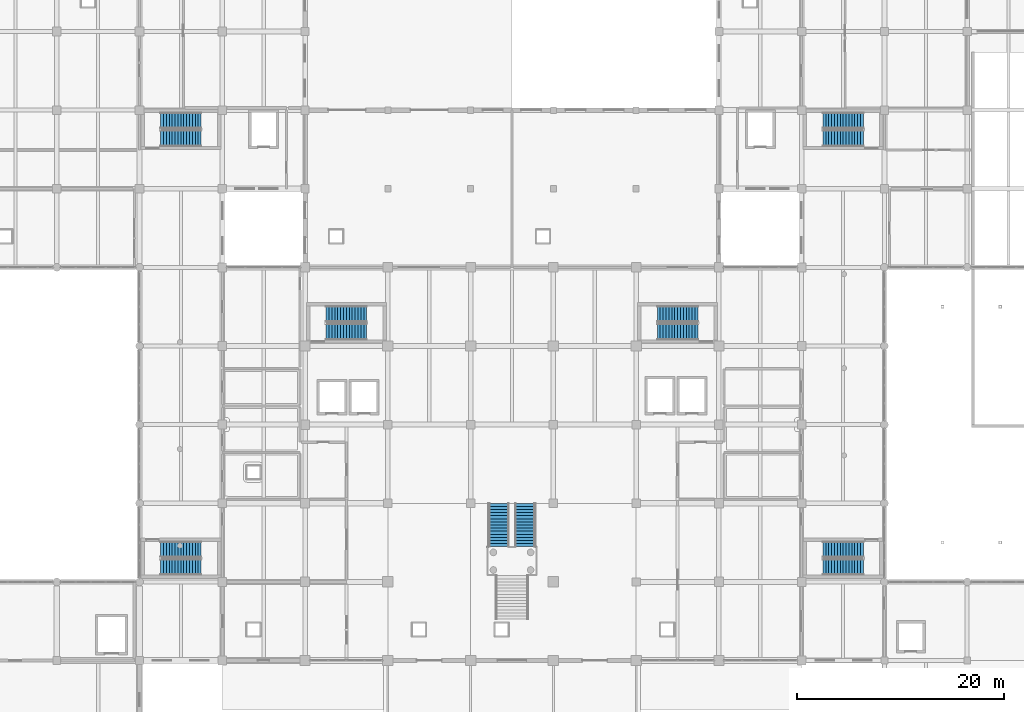
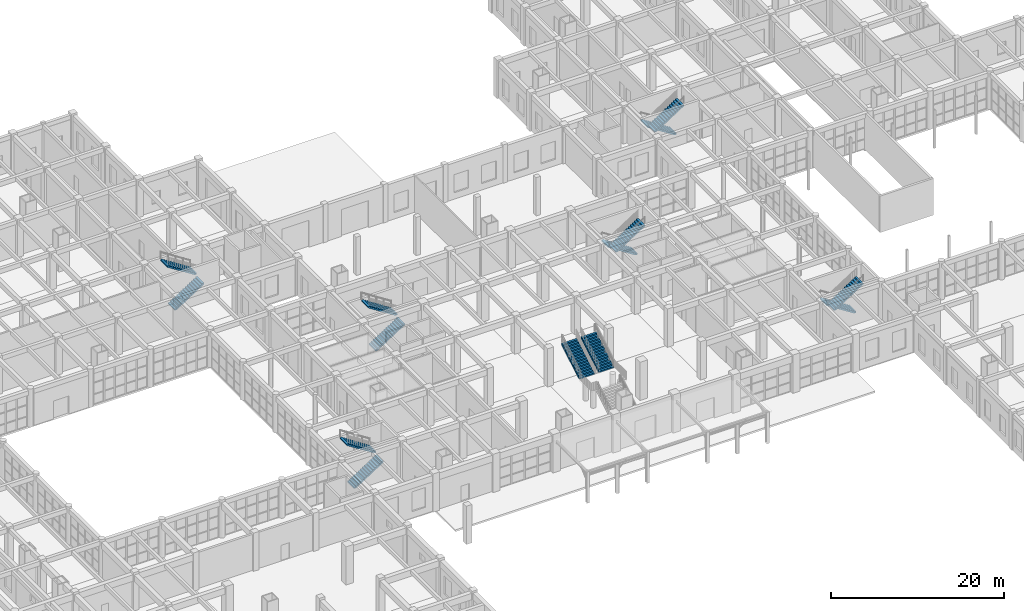
# One storey, part 85 of 95: 14 stair flights, 7 elements without a shape of their own.
"""IFC4 building model written with IfcOpenShell, lengths in metres."""

from ifc_helpers import new_model, si_unit, direction, frame, origin, place, context, subcontext, project, spatial, polyline, outline, extrude, material, type_object, element, aggregate, save


model = new_model("IFC4")

# Units and contexts
model_context = context("Model", 3, precision=1e-05, world=origin(), true_north=direction((0.0, 1.0)))
body_context = subcontext(model_context, "Body", "Model", "MODEL_VIEW")
ifc_project = project(units=[si_unit("LENGTHUNIT", "METRE"), si_unit("AREAUNIT", "SQUARE_METRE"), si_unit("VOLUMEUNIT", "CUBIC_METRE"), si_unit("PLANEANGLEUNIT", "RADIAN"), si_unit("MASSUNIT", "GRAM", prefix="KILO")], contexts=[model_context])

# Site, building, storey
site_placement = place(None, origin())
site = spatial("IfcSite", under=ifc_project, at=site_placement, CompositionType="ELEMENT")
building_placement = place(site_placement, origin())
building = spatial("IfcBuilding", under=site, at=building_placement, Name="Zantavel Square City Hall", CompositionType="ELEMENT")
storey_placement = place(building_placement, origin())
storey = spatial("IfcBuildingStorey", under=building, at=storey_placement, Name="L01", CompositionType="ELEMENT", Elevation=0.0)

# Stair, stair flights
ifc_material_1 = material(Name="Concrete C35/45", Category="concrete")
stair_type_1 = type_object("IfcStairType", Name="Enclosed Core Dogleg Stair L01 H5400", PredefinedType="HALF_TURN_STAIR", material=ifc_material_1)
stair_1_placement = place(storey_placement, origin())
stair_1 = element("IfcStair", 1, at=stair_1_placement, inside=storey, type_object=stair_type_1, Name="L01 Exit Stair 1 North-West Core", PredefinedType="HALF_TURN_STAIR")
stair_flight_type_1 = type_object("IfcStairFlightType", Name="Enclosed Core Stair Flight L01 W1560", PredefinedType="STRAIGHT", material=ifc_material_1)
stair_flight_1_placement = place(storey_placement, frame((50.030029296875, 80.8798828125, 0.0), z_axis=(0.0, 0.0, 1.0), x_axis=(1.0, 0.0, 0.0)))
stair_flight_1 = element("IfcStairFlight", 2, at=stair_flight_1_placement, type_object=stair_flight_type_1, Name="ST1 flight 1", NumberOfRisers=15, NumberOfTreads=14, PredefinedType="STRAIGHT", RiserHeight=0.18, TreadLength=0.28, context=body_context, shape_type="SweptSolid", body=[
    extrude(outline(polyline([(0.0, 0.0), (0.0, 0.179931640625), (0.280029296875, 0.179931640625), (0.280029296875, 0.360107421875), (0.56005859375, 0.360107421875), (0.56005859375, 0.5400390625), (0.840087890625, 0.5400390625), (0.840087890625, 0.719970703125), (1.1201171875, 0.719970703125), (1.1201171875, 0.89990234375), (1.39990234375, 0.89990234375), (1.39990234375, 1.080078125), (1.679931640625, 1.080078125), (1.679931640625, 1.260009765625), (1.9599609375, 1.260009765625), (1.9599609375, 1.43994140625), (2.239990234375, 1.43994140625), (2.239990234375, 1.6201171875), (2.52001953125, 1.6201171875), (2.52001953125, 1.800048828125), (2.800048828125, 1.800048828125), (2.800048828125, 1.97998046875), (3.080078125, 1.97998046875), (3.080078125, 2.159912109375), (3.360107421875, 2.159912109375), (3.360107421875, 2.340087890625), (3.639892578125, 2.340087890625), (3.639892578125, 2.52001953125), (3.919921875, 2.52001953125), (3.919921875, 2.699951171875), (3.919921875, 2.341796875), (0.277099609375, 0.0), (0.0, 0.0)])), frame((0.0, 0.780029296875, 0.0), z_axis=(0.0, -1.0, 0.0), x_axis=(1.0, 0.0, 0.0)), (0.0, 0.0, 1.0), 1.56005859375),
])
stair_flight_2_placement = place(storey_placement, frame((53.949951171875, 82.590087890625, 2.699951171875), z_axis=(0.0, 0.0, 1.0), x_axis=(-1.0, 0.0, 0.0)))
stair_flight_2 = element("IfcStairFlight", 3, at=stair_flight_2_placement, type_object=stair_flight_type_1, Name="ST1 flight 2", NumberOfRisers=15, NumberOfTreads=14, PredefinedType="STRAIGHT", RiserHeight=0.18, TreadLength=0.28, context=body_context, shape_type="SweptSolid", body=[
    extrude(outline(polyline([(0.0, 0.0), (0.0, 0.179931640625), (0.280029296875, 0.179931640625), (0.280029296875, 0.360107421875), (0.56005859375, 0.360107421875), (0.56005859375, 0.5400390625), (0.840087890625, 0.5400390625), (0.840087890625, 0.719970703125), (1.1201171875, 0.719970703125), (1.1201171875, 0.89990234375), (1.39990234375, 0.89990234375), (1.39990234375, 1.080078125), (1.679931640625, 1.080078125), (1.679931640625, 1.260009765625), (1.9599609375, 1.260009765625), (1.9599609375, 1.43994140625), (2.239990234375, 1.43994140625), (2.239990234375, 1.6201171875), (2.52001953125, 1.6201171875), (2.52001953125, 1.800048828125), (2.800048828125, 1.800048828125), (2.800048828125, 1.97998046875), (3.080078125, 1.97998046875), (3.080078125, 2.159912109375), (3.360107421875, 2.159912109375), (3.360107421875, 2.340087890625), (3.639892578125, 2.340087890625), (3.639892578125, 2.52001953125), (3.919921875, 2.52001953125), (3.919921875, 2.699951171875), (3.919921875, 2.341796875), (0.277099609375, 0.0), (0.0, 0.0)])), frame((0.0, 0.780029296875, 0.0), z_axis=(0.0, -1.0, 0.0), x_axis=(1.0, 0.0, 0.0)), (0.0, 0.0, 1.0), 1.56005859375),
])
aggregate(stair_1, [stair_flight_1, stair_flight_2])

stair_2_placement = place(storey_placement, origin())
stair_2 = element("IfcStair", 4, at=stair_2_placement, inside=storey, type_object=stair_type_1, Name="L01 Exit Stair 2 North-East Core", PredefinedType="HALF_TURN_STAIR")
stair_flight_3_placement = place(storey_placement, frame((117.969970703125, 82.590087890625, 0.0), z_axis=(0.0, 0.0, 1.0), x_axis=(-1.0, 0.0, 0.0)))
stair_flight_3 = element("IfcStairFlight", 5, at=stair_flight_3_placement, type_object=stair_flight_type_1, Name="ST2 flight 1", NumberOfRisers=15, NumberOfTreads=14, PredefinedType="STRAIGHT", RiserHeight=0.18, TreadLength=0.28, context=body_context, shape_type="SweptSolid", body=[
    extrude(outline(polyline([(0.0, 0.0), (0.0, 0.179931640625), (0.280029296875, 0.179931640625), (0.280029296875, 0.360107421875), (0.56005859375, 0.360107421875), (0.56005859375, 0.5400390625), (0.840087890625, 0.5400390625), (0.840087890625, 0.719970703125), (1.1201171875, 0.719970703125), (1.1201171875, 0.89990234375), (1.39990234375, 0.89990234375), (1.39990234375, 1.080078125), (1.679931640625, 1.080078125), (1.679931640625, 1.260009765625), (1.9599609375, 1.260009765625), (1.9599609375, 1.43994140625), (2.239990234375, 1.43994140625), (2.239990234375, 1.6201171875), (2.52001953125, 1.6201171875), (2.52001953125, 1.800048828125), (2.800048828125, 1.800048828125), (2.800048828125, 1.97998046875), (3.080078125, 1.97998046875), (3.080078125, 2.159912109375), (3.360107421875, 2.159912109375), (3.360107421875, 2.340087890625), (3.639892578125, 2.340087890625), (3.639892578125, 2.52001953125), (3.919921875, 2.52001953125), (3.919921875, 2.699951171875), (3.919921875, 2.341796875), (0.277099609375, 0.0), (0.0, 0.0)])), frame((0.0, 0.780029296875, 0.0), z_axis=(0.0, -1.0, 0.0), x_axis=(1.0, 0.0, 0.0)), (0.0, 0.0, 1.0), 1.56005859375),
])
stair_flight_4_placement = place(storey_placement, frame((114.050048828125, 80.8798828125, 2.699951171875), z_axis=(0.0, 0.0, 1.0), x_axis=(1.0, 0.0, 0.0)))
stair_flight_4 = element("IfcStairFlight", 6, at=stair_flight_4_placement, type_object=stair_flight_type_1, Name="ST2 flight 2", NumberOfRisers=15, NumberOfTreads=14, PredefinedType="STRAIGHT", RiserHeight=0.18, TreadLength=0.28, context=body_context, shape_type="SweptSolid", body=[
    extrude(outline(polyline([(0.0, 0.0), (0.0, 0.179931640625), (0.280029296875, 0.179931640625), (0.280029296875, 0.360107421875), (0.56005859375, 0.360107421875), (0.56005859375, 0.5400390625), (0.840087890625, 0.5400390625), (0.840087890625, 0.719970703125), (1.1201171875, 0.719970703125), (1.1201171875, 0.89990234375), (1.39990234375, 0.89990234375), (1.39990234375, 1.080078125), (1.679931640625, 1.080078125), (1.679931640625, 1.260009765625), (1.9599609375, 1.260009765625), (1.9599609375, 1.43994140625), (2.239990234375, 1.43994140625), (2.239990234375, 1.6201171875), (2.52001953125, 1.6201171875), (2.52001953125, 1.800048828125), (2.800048828125, 1.800048828125), (2.800048828125, 1.97998046875), (3.080078125, 1.97998046875), (3.080078125, 2.159912109375), (3.360107421875, 2.159912109375), (3.360107421875, 2.340087890625), (3.639892578125, 2.340087890625), (3.639892578125, 2.52001953125), (3.919921875, 2.52001953125), (3.919921875, 2.699951171875), (3.919921875, 2.341796875), (0.277099609375, 0.0), (0.0, 0.0)])), frame((0.0, 0.780029296875, 0.0), z_axis=(0.0, -1.0, 0.0), x_axis=(1.0, 0.0, 0.0)), (0.0, 0.0, 1.0), 1.56005859375),
])
aggregate(stair_2, [stair_flight_3, stair_flight_4])

stair_3_placement = place(storey_placement, origin())
stair_3 = element("IfcStair", 7, at=stair_3_placement, inside=storey, type_object=stair_type_1, Name="L01 Exit Stair 3 West Pavilion Core", PredefinedType="HALF_TURN_STAIR")
stair_flight_5_placement = place(storey_placement, frame((50.030029296875, 39.429931640625, 0.0), z_axis=(0.0, 0.0, 1.0), x_axis=(1.0, 0.0, 0.0)))
stair_flight_5 = element("IfcStairFlight", 8, at=stair_flight_5_placement, type_object=stair_flight_type_1, Name="ST3 flight 1", NumberOfRisers=15, NumberOfTreads=14, PredefinedType="STRAIGHT", RiserHeight=0.18, TreadLength=0.28, context=body_context, shape_type="SweptSolid", body=[
    extrude(outline(polyline([(0.0, 0.0), (0.0, 0.179931640625), (0.280029296875, 0.179931640625), (0.280029296875, 0.360107421875), (0.56005859375, 0.360107421875), (0.56005859375, 0.5400390625), (0.840087890625, 0.5400390625), (0.840087890625, 0.719970703125), (1.1201171875, 0.719970703125), (1.1201171875, 0.89990234375), (1.39990234375, 0.89990234375), (1.39990234375, 1.080078125), (1.679931640625, 1.080078125), (1.679931640625, 1.260009765625), (1.9599609375, 1.260009765625), (1.9599609375, 1.43994140625), (2.239990234375, 1.43994140625), (2.239990234375, 1.6201171875), (2.52001953125, 1.6201171875), (2.52001953125, 1.800048828125), (2.800048828125, 1.800048828125), (2.800048828125, 1.97998046875), (3.080078125, 1.97998046875), (3.080078125, 2.159912109375), (3.360107421875, 2.159912109375), (3.360107421875, 2.340087890625), (3.639892578125, 2.340087890625), (3.639892578125, 2.52001953125), (3.919921875, 2.52001953125), (3.919921875, 2.699951171875), (3.919921875, 2.341796875), (0.277099609375, 0.0), (0.0, 0.0)])), frame((0.0, 0.780029296875, 0.0), z_axis=(0.0, -1.0, 0.0), x_axis=(1.0, 0.0, 0.0)), (0.0, 0.0, 1.0), 1.56005859375),
])
stair_flight_6_placement = place(storey_placement, frame((53.949951171875, 41.139892578125, 2.699951171875), z_axis=(0.0, 0.0, 1.0), x_axis=(-1.0, 0.0, 0.0)))
stair_flight_6 = element("IfcStairFlight", 9, at=stair_flight_6_placement, type_object=stair_flight_type_1, Name="ST3 flight 2", NumberOfRisers=15, NumberOfTreads=14, PredefinedType="STRAIGHT", RiserHeight=0.18, TreadLength=0.28, context=body_context, shape_type="SweptSolid", body=[
    extrude(outline(polyline([(0.0, 0.0), (0.0, 0.179931640625), (0.280029296875, 0.179931640625), (0.280029296875, 0.360107421875), (0.56005859375, 0.360107421875), (0.56005859375, 0.5400390625), (0.840087890625, 0.5400390625), (0.840087890625, 0.719970703125), (1.1201171875, 0.719970703125), (1.1201171875, 0.89990234375), (1.39990234375, 0.89990234375), (1.39990234375, 1.080078125), (1.679931640625, 1.080078125), (1.679931640625, 1.260009765625), (1.9599609375, 1.260009765625), (1.9599609375, 1.43994140625), (2.239990234375, 1.43994140625), (2.239990234375, 1.6201171875), (2.52001953125, 1.6201171875), (2.52001953125, 1.800048828125), (2.800048828125, 1.800048828125), (2.800048828125, 1.97998046875), (3.080078125, 1.97998046875), (3.080078125, 2.159912109375), (3.360107421875, 2.159912109375), (3.360107421875, 2.340087890625), (3.639892578125, 2.340087890625), (3.639892578125, 2.52001953125), (3.919921875, 2.52001953125), (3.919921875, 2.699951171875), (3.919921875, 2.341796875), (0.277099609375, 0.0), (0.0, 0.0)])), frame((0.0, 0.780029296875, 0.0), z_axis=(0.0, -1.0, 0.0), x_axis=(1.0, 0.0, 0.0)), (0.0, 0.0, 1.0), 1.56005859375),
])
aggregate(stair_3, [stair_flight_5, stair_flight_6])

stair_4_placement = place(storey_placement, origin())
stair_4 = element("IfcStair", 10, at=stair_4_placement, inside=storey, type_object=stair_type_1, Name="L01 Exit Stair 4 East Annex Core", PredefinedType="HALF_TURN_STAIR")
stair_flight_7_placement = place(storey_placement, frame((117.969970703125, 41.139892578125, 0.0), z_axis=(0.0, 0.0, 1.0), x_axis=(-1.0, 0.0, 0.0)))
stair_flight_7 = element("IfcStairFlight", 11, at=stair_flight_7_placement, type_object=stair_flight_type_1, Name="ST4 flight 1", NumberOfRisers=15, NumberOfTreads=14, PredefinedType="STRAIGHT", RiserHeight=0.18, TreadLength=0.28, context=body_context, shape_type="SweptSolid", body=[
    extrude(outline(polyline([(0.0, 0.0), (0.0, 0.179931640625), (0.280029296875, 0.179931640625), (0.280029296875, 0.360107421875), (0.56005859375, 0.360107421875), (0.56005859375, 0.5400390625), (0.840087890625, 0.5400390625), (0.840087890625, 0.719970703125), (1.1201171875, 0.719970703125), (1.1201171875, 0.89990234375), (1.39990234375, 0.89990234375), (1.39990234375, 1.080078125), (1.679931640625, 1.080078125), (1.679931640625, 1.260009765625), (1.9599609375, 1.260009765625), (1.9599609375, 1.43994140625), (2.239990234375, 1.43994140625), (2.239990234375, 1.6201171875), (2.52001953125, 1.6201171875), (2.52001953125, 1.800048828125), (2.800048828125, 1.800048828125), (2.800048828125, 1.97998046875), (3.080078125, 1.97998046875), (3.080078125, 2.159912109375), (3.360107421875, 2.159912109375), (3.360107421875, 2.340087890625), (3.639892578125, 2.340087890625), (3.639892578125, 2.52001953125), (3.919921875, 2.52001953125), (3.919921875, 2.699951171875), (3.919921875, 2.341796875), (0.277099609375, 0.0), (0.0, 0.0)])), frame((0.0, 0.780029296875, 0.0), z_axis=(0.0, -1.0, 0.0), x_axis=(1.0, 0.0, 0.0)), (0.0, 0.0, 1.0), 1.56005859375),
])
stair_flight_8_placement = place(storey_placement, frame((114.050048828125, 39.429931640625, 2.699951171875), z_axis=(0.0, 0.0, 1.0), x_axis=(1.0, 0.0, 0.0)))
stair_flight_8 = element("IfcStairFlight", 12, at=stair_flight_8_placement, type_object=stair_flight_type_1, Name="ST4 flight 2", NumberOfRisers=15, NumberOfTreads=14, PredefinedType="STRAIGHT", RiserHeight=0.18, TreadLength=0.28, context=body_context, shape_type="SweptSolid", body=[
    extrude(outline(polyline([(0.0, 0.0), (0.0, 0.179931640625), (0.280029296875, 0.179931640625), (0.280029296875, 0.360107421875), (0.56005859375, 0.360107421875), (0.56005859375, 0.5400390625), (0.840087890625, 0.5400390625), (0.840087890625, 0.719970703125), (1.1201171875, 0.719970703125), (1.1201171875, 0.89990234375), (1.39990234375, 0.89990234375), (1.39990234375, 1.080078125), (1.679931640625, 1.080078125), (1.679931640625, 1.260009765625), (1.9599609375, 1.260009765625), (1.9599609375, 1.43994140625), (2.239990234375, 1.43994140625), (2.239990234375, 1.6201171875), (2.52001953125, 1.6201171875), (2.52001953125, 1.800048828125), (2.800048828125, 1.800048828125), (2.800048828125, 1.97998046875), (3.080078125, 1.97998046875), (3.080078125, 2.159912109375), (3.360107421875, 2.159912109375), (3.360107421875, 2.340087890625), (3.639892578125, 2.340087890625), (3.639892578125, 2.52001953125), (3.919921875, 2.52001953125), (3.919921875, 2.699951171875), (3.919921875, 2.341796875), (0.277099609375, 0.0), (0.0, 0.0)])), frame((0.0, 0.780029296875, 0.0), z_axis=(0.0, -1.0, 0.0), x_axis=(1.0, 0.0, 0.0)), (0.0, 0.0, 1.0), 1.56005859375),
])
aggregate(stair_4, [stair_flight_7, stair_flight_8])

stair_5_placement = place(storey_placement, origin())
stair_5 = element("IfcStair", 13, at=stair_5_placement, inside=storey, type_object=stair_type_1, Name="L01 Exit Stair 5 Central West Core", PredefinedType="HALF_TURN_STAIR")
stair_flight_9_placement = place(storey_placement, frame((66.030029296875, 62.179931640625, 0.0), z_axis=(0.0, 0.0, 1.0), x_axis=(1.0, 0.0, 0.0)))
stair_flight_9 = element("IfcStairFlight", 14, at=stair_flight_9_placement, type_object=stair_flight_type_1, Name="ST5 flight 1", NumberOfRisers=15, NumberOfTreads=14, PredefinedType="STRAIGHT", RiserHeight=0.18, TreadLength=0.28, context=body_context, shape_type="SweptSolid", body=[
    extrude(outline(polyline([(0.0, 0.0), (0.0, 0.179931640625), (0.280029296875, 0.179931640625), (0.280029296875, 0.360107421875), (0.56005859375, 0.360107421875), (0.56005859375, 0.5400390625), (0.840087890625, 0.5400390625), (0.840087890625, 0.719970703125), (1.1201171875, 0.719970703125), (1.1201171875, 0.89990234375), (1.39990234375, 0.89990234375), (1.39990234375, 1.080078125), (1.679931640625, 1.080078125), (1.679931640625, 1.260009765625), (1.9599609375, 1.260009765625), (1.9599609375, 1.43994140625), (2.239990234375, 1.43994140625), (2.239990234375, 1.6201171875), (2.52001953125, 1.6201171875), (2.52001953125, 1.800048828125), (2.800048828125, 1.800048828125), (2.800048828125, 1.97998046875), (3.080078125, 1.97998046875), (3.080078125, 2.159912109375), (3.360107421875, 2.159912109375), (3.360107421875, 2.340087890625), (3.639892578125, 2.340087890625), (3.639892578125, 2.52001953125), (3.919921875, 2.52001953125), (3.919921875, 2.699951171875), (3.919921875, 2.341796875), (0.277099609375, 0.0), (0.0, 0.0)])), frame((0.0, 0.780029296875, 0.0), z_axis=(0.0, -1.0, 0.0), x_axis=(1.0, 0.0, 0.0)), (0.0, 0.0, 1.0), 1.56005859375),
])
stair_flight_10_placement = place(storey_placement, frame((69.949951171875, 63.889892578125, 2.699951171875), z_axis=(0.0, 0.0, 1.0), x_axis=(-1.0, 0.0, 0.0)))
stair_flight_10 = element("IfcStairFlight", 15, at=stair_flight_10_placement, type_object=stair_flight_type_1, Name="ST5 flight 2", NumberOfRisers=15, NumberOfTreads=14, PredefinedType="STRAIGHT", RiserHeight=0.18, TreadLength=0.28, context=body_context, shape_type="SweptSolid", body=[
    extrude(outline(polyline([(0.0, 0.0), (0.0, 0.179931640625), (0.280029296875, 0.179931640625), (0.280029296875, 0.360107421875), (0.56005859375, 0.360107421875), (0.56005859375, 0.5400390625), (0.840087890625, 0.5400390625), (0.840087890625, 0.719970703125), (1.1201171875, 0.719970703125), (1.1201171875, 0.89990234375), (1.39990234375, 0.89990234375), (1.39990234375, 1.080078125), (1.679931640625, 1.080078125), (1.679931640625, 1.260009765625), (1.9599609375, 1.260009765625), (1.9599609375, 1.43994140625), (2.239990234375, 1.43994140625), (2.239990234375, 1.6201171875), (2.52001953125, 1.6201171875), (2.52001953125, 1.800048828125), (2.800048828125, 1.800048828125), (2.800048828125, 1.97998046875), (3.080078125, 1.97998046875), (3.080078125, 2.159912109375), (3.360107421875, 2.159912109375), (3.360107421875, 2.340087890625), (3.639892578125, 2.340087890625), (3.639892578125, 2.52001953125), (3.919921875, 2.52001953125), (3.919921875, 2.699951171875), (3.919921875, 2.341796875), (0.277099609375, 0.0), (0.0, 0.0)])), frame((0.0, 0.780029296875, 0.0), z_axis=(0.0, -1.0, 0.0), x_axis=(1.0, 0.0, 0.0)), (0.0, 0.0, 1.0), 1.56005859375),
])
aggregate(stair_5, [stair_flight_9, stair_flight_10])

stair_6_placement = place(storey_placement, origin())
stair_6 = element("IfcStair", 16, at=stair_6_placement, inside=storey, type_object=stair_type_1, Name="L01 Exit Stair 6 Central East Core", PredefinedType="HALF_TURN_STAIR")
stair_flight_11_placement = place(storey_placement, frame((101.969970703125, 63.889892578125, 0.0), z_axis=(0.0, 0.0, 1.0), x_axis=(-1.0, 0.0, 0.0)))
stair_flight_11 = element("IfcStairFlight", 17, at=stair_flight_11_placement, type_object=stair_flight_type_1, Name="ST6 flight 1", NumberOfRisers=15, NumberOfTreads=14, PredefinedType="STRAIGHT", RiserHeight=0.18, TreadLength=0.28, context=body_context, shape_type="SweptSolid", body=[
    extrude(outline(polyline([(0.0, 0.0), (0.0, 0.179931640625), (0.280029296875, 0.179931640625), (0.280029296875, 0.360107421875), (0.56005859375, 0.360107421875), (0.56005859375, 0.5400390625), (0.840087890625, 0.5400390625), (0.840087890625, 0.719970703125), (1.1201171875, 0.719970703125), (1.1201171875, 0.89990234375), (1.39990234375, 0.89990234375), (1.39990234375, 1.080078125), (1.679931640625, 1.080078125), (1.679931640625, 1.260009765625), (1.9599609375, 1.260009765625), (1.9599609375, 1.43994140625), (2.239990234375, 1.43994140625), (2.239990234375, 1.6201171875), (2.52001953125, 1.6201171875), (2.52001953125, 1.800048828125), (2.800048828125, 1.800048828125), (2.800048828125, 1.97998046875), (3.080078125, 1.97998046875), (3.080078125, 2.159912109375), (3.360107421875, 2.159912109375), (3.360107421875, 2.340087890625), (3.639892578125, 2.340087890625), (3.639892578125, 2.52001953125), (3.919921875, 2.52001953125), (3.919921875, 2.699951171875), (3.919921875, 2.341796875), (0.277099609375, 0.0), (0.0, 0.0)])), frame((0.0, 0.780029296875, 0.0), z_axis=(0.0, -1.0, 0.0), x_axis=(1.0, 0.0, 0.0)), (0.0, 0.0, 1.0), 1.56005859375),
])
stair_flight_12_placement = place(storey_placement, frame((98.050048828125, 62.179931640625, 2.699951171875), z_axis=(0.0, 0.0, 1.0), x_axis=(1.0, 0.0, 0.0)))
stair_flight_12 = element("IfcStairFlight", 18, at=stair_flight_12_placement, type_object=stair_flight_type_1, Name="ST6 flight 2", NumberOfRisers=15, NumberOfTreads=14, PredefinedType="STRAIGHT", RiserHeight=0.18, TreadLength=0.28, context=body_context, shape_type="SweptSolid", body=[
    extrude(outline(polyline([(0.0, 0.0), (0.0, 0.179931640625), (0.280029296875, 0.179931640625), (0.280029296875, 0.360107421875), (0.56005859375, 0.360107421875), (0.56005859375, 0.5400390625), (0.840087890625, 0.5400390625), (0.840087890625, 0.719970703125), (1.1201171875, 0.719970703125), (1.1201171875, 0.89990234375), (1.39990234375, 0.89990234375), (1.39990234375, 1.080078125), (1.679931640625, 1.080078125), (1.679931640625, 1.260009765625), (1.9599609375, 1.260009765625), (1.9599609375, 1.43994140625), (2.239990234375, 1.43994140625), (2.239990234375, 1.6201171875), (2.52001953125, 1.6201171875), (2.52001953125, 1.800048828125), (2.800048828125, 1.800048828125), (2.800048828125, 1.97998046875), (3.080078125, 1.97998046875), (3.080078125, 2.159912109375), (3.360107421875, 2.159912109375), (3.360107421875, 2.340087890625), (3.639892578125, 2.340087890625), (3.639892578125, 2.52001953125), (3.919921875, 2.52001953125), (3.919921875, 2.699951171875), (3.919921875, 2.341796875), (0.277099609375, 0.0), (0.0, 0.0)])), frame((0.0, 0.780029296875, 0.0), z_axis=(0.0, -1.0, 0.0), x_axis=(1.0, 0.0, 0.0)), (0.0, 0.0, 1.0), 1.56005859375),
])
aggregate(stair_6, [stair_flight_11, stair_flight_12])

ifc_material_2 = material(Name="White cantera volcanic tuff stone", Category="masonry")
stair_type_2 = type_object("IfcStairType", Name="Grand Ceremonial Imperial Stair L01-L02", PredefinedType="DOUBLE_RETURN_STAIR", material=ifc_material_2)
stair_7_placement = place(storey_placement, origin())
stair_7 = element("IfcStair", 19, at=stair_7_placement, inside=storey, type_object=stair_type_2, Name="Honor Vestibule Grand Imperial Stair", PredefinedType="DOUBLE_RETURN_STAIR")
ifc_material_3 = material(Name="Precast concrete C40/50", Category="concrete")
stair_flight_type_2 = type_object("IfcStairFlightType", Name="Imperial Stair Return Flight W2000", PredefinedType="STRAIGHT", material=ifc_material_3)
stair_flight_13_placement = place(storey_placement, frame((82.699951171875, 41.39990234375, 2.699951171875), z_axis=(0.0, 0.0, 1.0), x_axis=(0.0, 1.0, 0.0)))
stair_flight_13 = element("IfcStairFlight", 20, at=stair_flight_13_placement, type_object=stair_flight_type_2, Name="ST-IMP flight 2", NumberOfRisers=15, NumberOfTreads=14, PredefinedType="STRAIGHT", RiserHeight=0.18, TreadLength=0.3, context=body_context, shape_type="SweptSolid", body=[
    extrude(outline(polyline([(0.0, 0.0), (0.0, 0.179931640625), (0.300048828125, 0.179931640625), (0.300048828125, 0.360107421875), (0.60009765625, 0.360107421875), (0.60009765625, 0.5400390625), (0.89990234375, 0.5400390625), (0.89990234375, 0.719970703125), (1.199951171875, 0.719970703125), (1.199951171875, 0.89990234375), (1.5, 0.89990234375), (1.5, 1.080078125), (1.800048828125, 1.080078125), (1.800048828125, 1.260009765625), (2.10009765625, 1.260009765625), (2.10009765625, 1.43994140625), (2.39990234375, 1.43994140625), (2.39990234375, 1.6201171875), (2.699951171875, 1.6201171875), (2.699951171875, 1.800048828125), (3.0, 1.800048828125), (3.0, 1.97998046875), (3.300048828125, 1.97998046875), (3.300048828125, 2.159912109375), (3.60009765625, 2.159912109375), (3.60009765625, 2.340087890625), (3.89990234375, 2.340087890625), (3.89990234375, 2.52001953125), (4.199951171875, 2.52001953125), (4.199951171875, 2.699951171875), (4.199951171875, 2.286865234375), (0.388671875, 0.0), (0.0, 0.0)])), frame((0.0, 1.0, 0.0), z_axis=(0.0, -1.0, 0.0), x_axis=(1.0, 0.0, 0.0)), (0.0, 0.0, 1.0), 2.0),
])
stair_flight_14_placement = place(storey_placement, frame((85.300048828125, 41.39990234375, 2.699951171875), z_axis=(0.0, 0.0, 1.0), x_axis=(0.0, 1.0, 0.0)))
stair_flight_14 = element("IfcStairFlight", 21, at=stair_flight_14_placement, type_object=stair_flight_type_2, Name="ST-IMP flight 3", NumberOfRisers=15, NumberOfTreads=14, PredefinedType="STRAIGHT", RiserHeight=0.18, TreadLength=0.3, context=body_context, shape_type="SweptSolid", body=[
    extrude(outline(polyline([(0.0, 0.0), (0.0, 0.179931640625), (0.300048828125, 0.179931640625), (0.300048828125, 0.360107421875), (0.60009765625, 0.360107421875), (0.60009765625, 0.5400390625), (0.89990234375, 0.5400390625), (0.89990234375, 0.719970703125), (1.199951171875, 0.719970703125), (1.199951171875, 0.89990234375), (1.5, 0.89990234375), (1.5, 1.080078125), (1.800048828125, 1.080078125), (1.800048828125, 1.260009765625), (2.10009765625, 1.260009765625), (2.10009765625, 1.43994140625), (2.39990234375, 1.43994140625), (2.39990234375, 1.6201171875), (2.699951171875, 1.6201171875), (2.699951171875, 1.800048828125), (3.0, 1.800048828125), (3.0, 1.97998046875), (3.300048828125, 1.97998046875), (3.300048828125, 2.159912109375), (3.60009765625, 2.159912109375), (3.60009765625, 2.340087890625), (3.89990234375, 2.340087890625), (3.89990234375, 2.52001953125), (4.199951171875, 2.52001953125), (4.199951171875, 2.699951171875), (4.199951171875, 2.286865234375), (0.388671875, 0.0), (0.0, 0.0)])), frame((0.0, 1.0, 0.0), z_axis=(0.0, -1.0, 0.0), x_axis=(1.0, 0.0, 0.0)), (0.0, 0.0, 1.0), 2.0),
])
aggregate(stair_7, [stair_flight_13, stair_flight_14])

save(model, "model.ifc")
